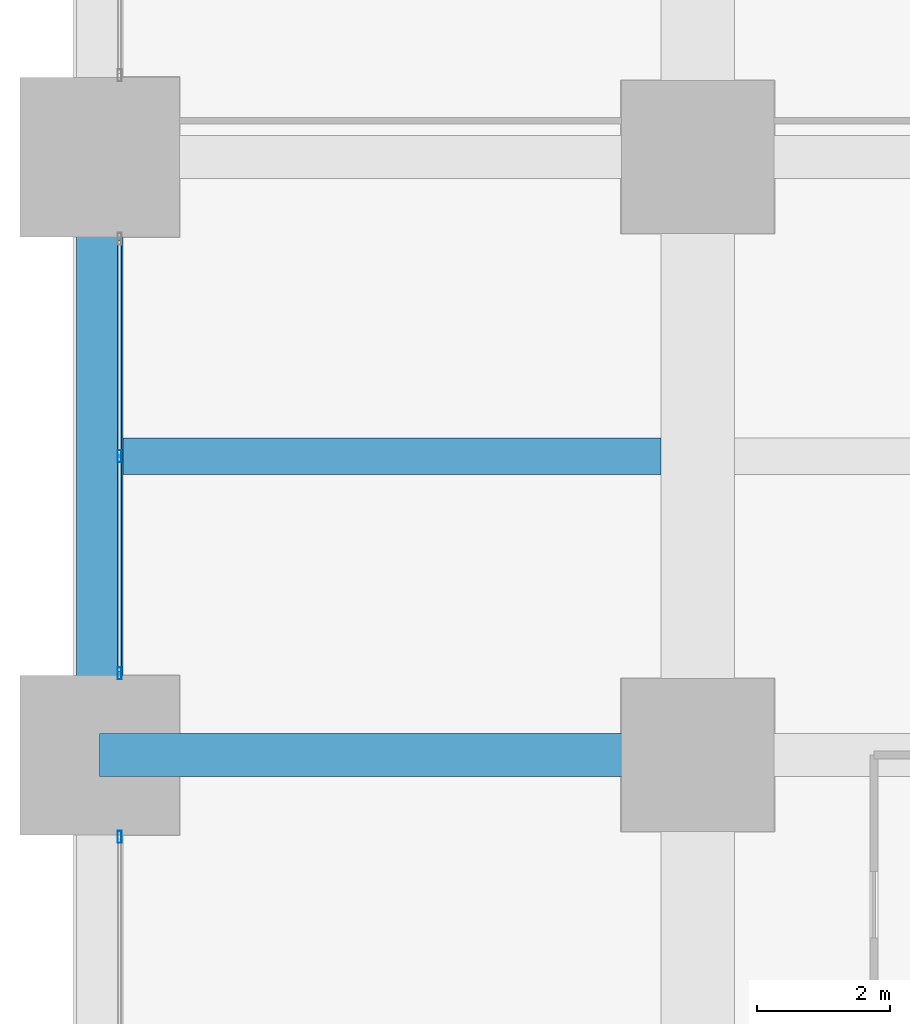
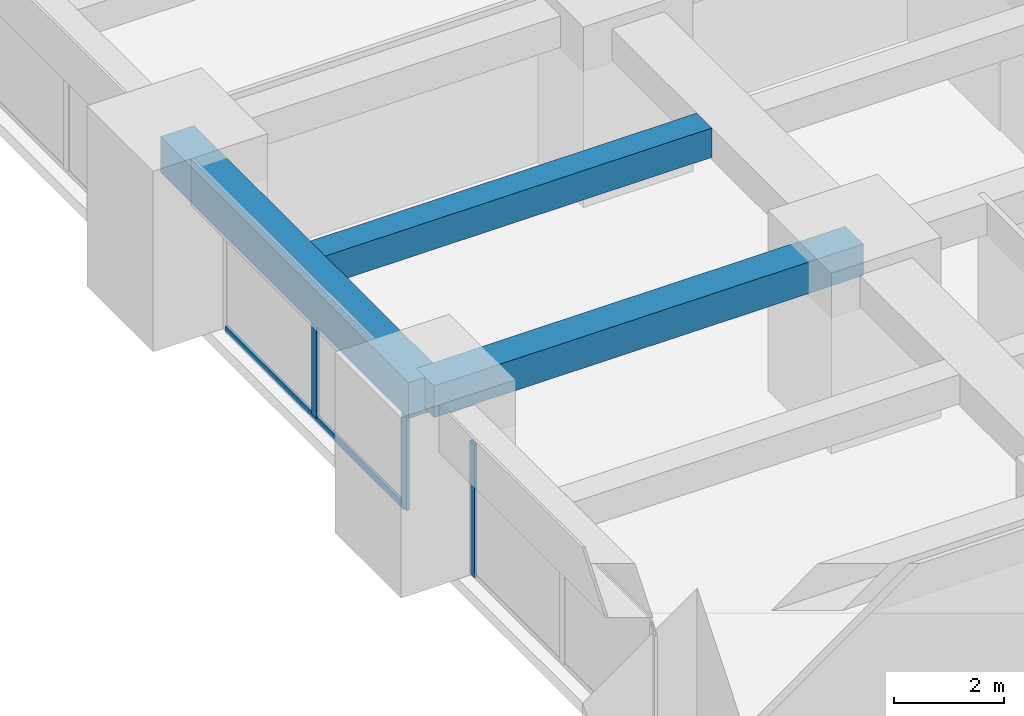
# One storey, part 11 of 45: 4 members, 3 beams, 2 elements without a shape of their own.
"""IFC4 building model written with IfcOpenShell, lengths in metres."""

from ifc_helpers import new_model, si_unit, direction, frame, origin, origin_2d, place, context, subcontext, project, spatial, rectangle, hollow_rectangle, extrude, material, material_profile, profile_set, type_object, element, aggregate, save


model = new_model("IFC4")

# Units and contexts
model_context = context("Model", 3, precision=1e-05, world=origin(), true_north=direction((0.0, 1.0)))
body_context = subcontext(model_context, "Body", "Model", "MODEL_VIEW")
ifc_project = project(units=[si_unit("LENGTHUNIT", "METRE"), si_unit("AREAUNIT", "SQUARE_METRE"), si_unit("VOLUMEUNIT", "CUBIC_METRE"), si_unit("PLANEANGLEUNIT", "RADIAN"), si_unit("MASSUNIT", "GRAM", prefix="KILO")], contexts=[model_context])

# Site, building, storey
site_placement = place(None, origin())
site = spatial("IfcSite", under=ifc_project, at=site_placement, CompositionType="ELEMENT")
building_placement = place(site_placement, origin())
building = spatial("IfcBuilding", under=site, at=building_placement, Name="Zorevar Civic Tower", CompositionType="ELEMENT")
storey_placement = place(building_placement, frame((0.0, 0.0, 27.800048828125)))
storey = spatial("IfcBuildingStorey", under=building, at=storey_placement, Name="L06", CompositionType="ELEMENT", Elevation=27.800048828125)

# Beams
ifc_material_1 = material(Name="Concrete C50/60", Category="concrete")
ifc_material_profile_1 = material_profile(ifc_material_1, rectangle(XDim=0.550048828125, YDim=0.64990234375, at=origin_2d()), Name="RC 550x650")
ifc_profile_set_1 = profile_set([ifc_material_profile_1], Name="Concrete C50/60")
beam_type_1 = type_object("IfcBeamType", Name="Beam RC 550x650", PredefinedType="BEAM", material=ifc_profile_set_1)
beam_1_placement = place(storey_placement, frame((0.35009765625, 31.5, 3.425048828125), z_axis=(1.0, 0.0, 0.0), x_axis=(0.0, 1.0, 0.0)))
element("IfcBeam", 1, at=beam_1_placement, inside=storey, type_object=beam_type_1, Name="Secondary beam L07", PredefinedType="BEAM", context=body_context, shape_type="SweptSolid", body=[
    extrude(rectangle(XDim=0.550048828125, YDim=0.64990234375, at=origin_2d()), origin(), (0.0, 0.0, 1.0), 8.099853515625),
])
ifc_material_2 = material(Name="Concrete C50/60", Category="concrete")
ifc_material_profile_2 = material_profile(ifc_material_2, rectangle(XDim=0.64990234375, YDim=0.699951171875, at=origin_2d()), Name="RC 650x700")
ifc_profile_set_2 = profile_set([ifc_material_profile_2], Name="Concrete C50/60")
beam_type_2 = type_object("IfcBeamType", Name="Beam RC 650x700", PredefinedType="BEAM", material=ifc_profile_set_2)
beam_2_placement = place(storey_placement, frame((0.0, 27.0, 3.39990234375), z_axis=(1.0, 0.0, 0.0), x_axis=(0.0, 1.0, 0.0)))
element("IfcBeam", 2, at=beam_2_placement, inside=storey, type_object=beam_type_2, Name="Girder L07", PredefinedType="BEAM", context=body_context, shape_type="SweptSolid", body=[
    extrude(rectangle(XDim=0.64990234375, YDim=0.699951171875, at=origin_2d()), origin(), (0.0, 0.0, 1.0), 9.0),
])

# Curtain wall, member
ifc_material_3 = material(Name="Dark grey solar-control glass in black aluminium frame", Category="aluminium")
curtain_wall_type = type_object("IfcCurtainWallType", Name="Curtain wall CW2 low zone", PredefinedType="NOTDEFINED", material=ifc_material_3)
curtain_wall_1_placement = place(storey_placement, origin())
curtain_wall_1 = element("IfcCurtainWall", 3, at=curtain_wall_1_placement, inside=storey, type_object=curtain_wall_type, Name="CW2 L06", PredefinedType="NOTDEFINED")
ifc_material_4 = material(Name="Aluminium, black anodised", Category="aluminium")
ifc_material_profile_3 = material_profile(ifc_material_4, hollow_rectangle(XDim=0.06005859375, YDim=0.179931640625, WallThickness=0.00390625, at=origin_2d()), Name="AL 180x60x4")
ifc_profile_set_3 = profile_set([ifc_material_profile_3], Name="Aluminium, black anodised")
member_type_1 = type_object("IfcMemberType", Name="CW2 mullion AL 180x60x4", PredefinedType="MULLION", material=ifc_profile_set_3)
member_1_placement = place(storey_placement, frame((0.300048828125, 25.77001953125, 0.0), z_axis=(0.0, 0.0, 1.0), x_axis=(-1.0, 0.0, 0.0)))
member_1 = element("IfcMember", 4, at=member_1_placement, type_object=member_type_1, Name="CW2 mullion 3", PredefinedType="MULLION", context=body_context, shape_type="SweptSolid", body=[
    extrude(hollow_rectangle(XDim=0.06005859375, YDim=0.179931640625, WallThickness=0.00390625, at=origin_2d()), origin(), (0.0, 0.0, 1.0), 2.949951171875),
])
aggregate(curtain_wall_1, [member_1])

# Curtain wall, members
curtain_wall_2_placement = place(storey_placement, origin())
curtain_wall_2 = element("IfcCurtainWall", 5, at=curtain_wall_2_placement, inside=storey, type_object=curtain_wall_type, Name="CW2 L06", PredefinedType="NOTDEFINED")
member_2_placement = place(storey_placement, frame((0.300048828125, 28.22998046875, 0.0), z_axis=(0.0, 0.0, 1.0), x_axis=(-1.0, 0.0, 0.0)))
member_2 = element("IfcMember", 6, at=member_2_placement, type_object=member_type_1, Name="CW2 mullion 1", PredefinedType="MULLION", context=body_context, shape_type="SweptSolid", body=[
    extrude(hollow_rectangle(XDim=0.06005859375, YDim=0.179931640625, WallThickness=0.00390625, at=origin_2d()), origin(), (0.0, 0.0, 1.0), 2.949951171875),
])
member_3_placement = place(storey_placement, frame((0.300048828125, 31.5, 0.06005859375), z_axis=(0.0, 0.0, 1.0), x_axis=(-1.0, 0.0, 0.0)))
member_3 = element("IfcMember", 7, at=member_3_placement, type_object=member_type_1, Name="CW2 mullion 2", PredefinedType="MULLION", context=body_context, shape_type="SweptSolid", body=[
    extrude(hollow_rectangle(XDim=0.06005859375, YDim=0.179931640625, WallThickness=0.00390625, at=origin_2d()), origin(), (0.0, 0.0, 1.0), 2.889892578125),
])
ifc_material_5 = material(Name="Aluminium, black anodised", Category="aluminium")
ifc_material_profile_4 = material_profile(ifc_material_5, hollow_rectangle(XDim=0.06005859375, YDim=0.14990234375, WallThickness=0.00390625, at=origin_2d()), Name="AL 150x60x4")
ifc_profile_set_4 = profile_set([ifc_material_profile_4], Name="Aluminium, black anodised")
member_type_2 = type_object("IfcMemberType", Name="CW2 transom AL 150x60x4", PredefinedType="USERDEFINED", material=ifc_profile_set_4)
member_4_placement = place(storey_placement, frame((0.300048828125, 28.260009765625, 0.030029296875), z_axis=(0.0, 1.0, 0.0), x_axis=(-1.0, 0.0, 0.0)))
member_4 = element("IfcMember", 8, at=member_4_placement, type_object=member_type_2, Name="CW2 sill transom", ObjectType="TRANSOM", PredefinedType="USERDEFINED", context=body_context, shape_type="SweptSolid", body=[
    extrude(hollow_rectangle(XDim=0.06005859375, YDim=0.14990234375, WallThickness=0.00390625, at=origin_2d()), origin(), (0.0, 0.0, 1.0), 6.47998046875),
])
aggregate(curtain_wall_2, [member_2, member_3, member_4])

# Beam
ifc_material_6 = material(Name="Concrete C50/60", Category="concrete")
ifc_material_profile_5 = material_profile(ifc_material_6, rectangle(XDim=0.699951171875, YDim=0.800048828125, at=origin_2d()), Name="RC 700x800")
ifc_profile_set_5 = profile_set([ifc_material_profile_5], Name="Concrete C50/60")
beam_type_3 = type_object("IfcBeamType", Name="Edge beam RC 700x800", PredefinedType="SPANDREL", material=ifc_profile_set_5)
beam_3_placement = place(storey_placement, frame((0.0, 27.0, 3.349853515625), z_axis=(0.0, 1.0, 0.0), x_axis=(-1.0, 0.0, 0.0)))
element("IfcBeam", 9, at=beam_3_placement, inside=storey, type_object=beam_type_3, Name="Edge beam L07", PredefinedType="SPANDREL", context=body_context, shape_type="SweptSolid", body=[
    extrude(rectangle(XDim=0.699951171875, YDim=0.800048828125, at=origin_2d()), origin(), (0.0, 0.0, 1.0), 9.0),
])

save(model, "model.ifc")
